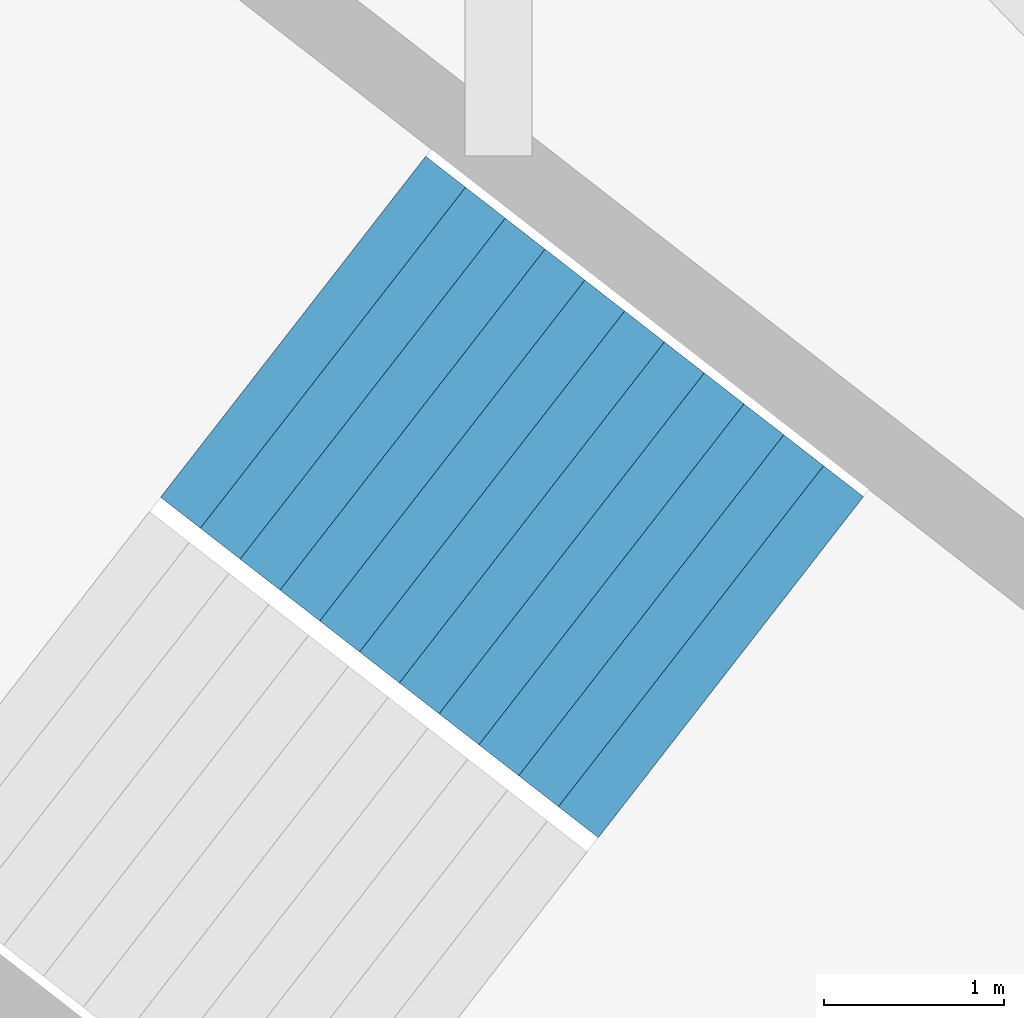
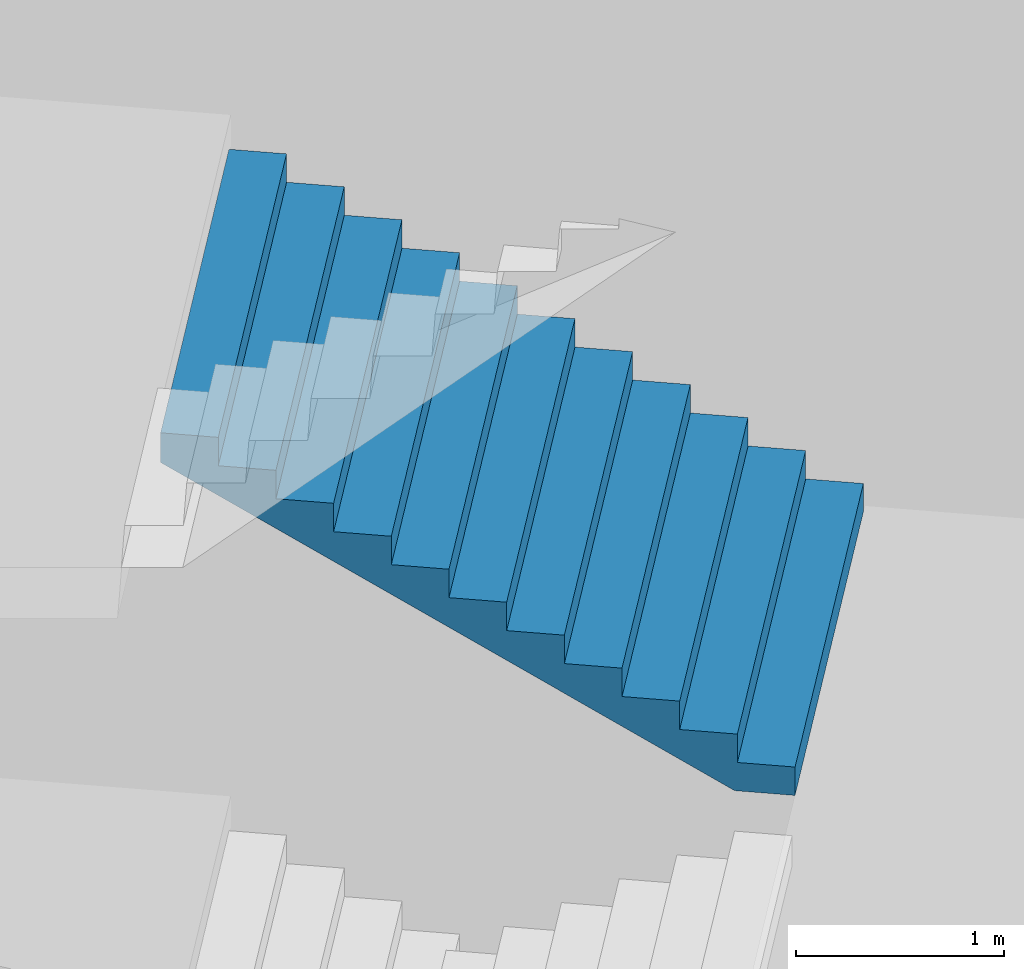
# One storey, part 41 of 74: 1 stair flight, 1 element without a shape of its own.
"""IFC4 building model written with IfcOpenShell, lengths in metres."""

import ifcopenshell
import ifcopenshell.guid

model = None  # the IFC model being written
_history = None  # IfcOwnerHistory: only IFC2X3 demands one
_inside = {}  # id of a spatial element -> (the spatial element, [elements in it])
_under = {}  # id of a project, library or spatial element -> (it, [spatial elements below it])
_declared = {}  # id of a project -> (the project, [libraries it declares])
_typed = {}  # id of a type object -> (the type object, [elements of that type])
_made_of = {}  # id of a material, layer set ... -> (it, [elements and type objects made of it])


def new_model(schema):
    """Start an empty IFC model of exactly this schema.

    Asked for "IFC4X3", IfcOpenShell would pick the latest addendum, in which some entities
    have other attributes; the version numbers below select the first issue.
    IFC2X3 requires an IfcOwnerHistory on every rooted entity: one is made here for all.
    """
    global model, _history
    if schema == "IFC4X3":
        model = ifcopenshell.file(schema_version=(4, 3, 0, 0))
    else:
        model = ifcopenshell.file(schema=schema)
    _inside.clear()
    _under.clear()
    _declared.clear()
    _typed.clear()
    _made_of.clear()
    _history = None
    if model.schema == "IFC2X3":
        org = make("IfcOrganization", Name="unknown")
        user = make(
            "IfcPersonAndOrganization",
            ThePerson=make("IfcPerson", FamilyName="unknown"),
            TheOrganization=org,
        )
        app = make(
            "IfcApplication",
            ApplicationDeveloper=org,
            Version="unknown",
            ApplicationFullName="unknown",
            ApplicationIdentifier="unknown",
        )
        _history = make(
            "IfcOwnerHistory",
            OwningUser=user,
            OwningApplication=app,
            ChangeAction="ADDED",
            CreationDate=0,
        )
    return model


def make(cls, **values):
    """One entity of the class cls with the attributes given. An attribute that is None is left unset."""
    return model.create_entity(
        cls, **{name: value for name, value in values.items() if value is not None}
    )


def rooted(cls, **values):
    """An entity with a GlobalId (a new one), such as an element, a storey or a relation."""
    return make(cls, GlobalId=ifcopenshell.guid.new(), OwnerHistory=_history, **values)


def si_unit(unit_type, name, prefix=None):
    """IfcSIUnit, for example si_unit("LENGTHUNIT", "METRE", prefix="MILLI")."""
    return make("IfcSIUnit", UnitType=unit_type, Prefix=prefix, Name=name)


def assignment(units):
    """IfcUnitAssignment: the units of a project."""
    return None if units is None else make("IfcUnitAssignment", Units=units)


def point(xyz):
    """IfcCartesianPoint."""
    return None if xyz is None else make("IfcCartesianPoint", Coordinates=xyz)


def direction(xyz):
    """IfcDirection."""
    return None if xyz is None else make("IfcDirection", DirectionRatios=xyz)


def frame(location, z_axis=None, x_axis=None):
    """IfcAxis2Placement3D, a coordinate frame: its origin and axes. An axis left out is left unset."""
    return make(
        "IfcAxis2Placement3D",
        Location=point(location),
        Axis=direction(z_axis),
        RefDirection=direction(x_axis),
    )


def origin():
    """The frame at (0, 0, 0) with its axes left unset."""
    return frame((0.0, 0.0, 0.0))


def place(relative_to, where):
    """IfcLocalPlacement: puts the frame where relative to a parent placement (None: the world)."""
    return make(
        "IfcLocalPlacement", PlacementRelTo=relative_to, RelativePlacement=where
    )


def context(
    kind, dimensions, precision=None, world=None, true_north=None, identifier=None
):
    """IfcGeometricRepresentationContext, for example the 3D "Model" context."""
    return make(
        "IfcGeometricRepresentationContext",
        ContextIdentifier=identifier,
        ContextType=kind,
        CoordinateSpaceDimension=dimensions,
        Precision=precision,
        WorldCoordinateSystem=world,
        TrueNorth=true_north,
    )


def subcontext(parent, identifier, kind, view, scale=None):
    """IfcGeometricRepresentationSubContext, for example "Body" below "Model"."""
    return make(
        "IfcGeometricRepresentationSubContext",
        ContextIdentifier=identifier,
        ContextType=kind,
        ParentContext=parent,
        TargetScale=scale,
        TargetView=view,
    )


def project(units=None, contexts=None):
    """IfcProject with its units and contexts."""
    return rooted(
        "IfcProject",
        Name="project",
        RepresentationContexts=contexts,
        UnitsInContext=assignment(units),
    )


def spatial(cls, under=None, at=None, **own):
    """A site, building, storey or space (cls), placed at a placement, below another one or the project."""
    s = rooted(cls, ObjectPlacement=at, **own)
    if under is not None:
        _under.setdefault(under.id(), (under, []))[1].append(s)
    return s


def point_list(points):
    """IfcCartesianPointList2D or 3D."""
    cls = (
        "IfcCartesianPointList2D" if len(points[0]) == 2 else "IfcCartesianPointList3D"
    )
    return make(cls, CoordList=points)


def triangles(points, corners, closed=None, point_numbers=None):
    """IfcTriangulatedFaceSet: each triangle names its three corners, points numbered from 1."""
    return make(
        "IfcTriangulatedFaceSet",
        Coordinates=point_list(points),
        Closed=closed,
        CoordIndex=corners,
        PnIndex=point_numbers,
    )


def shape(context_of_items, identifier, shape_type, items):
    """IfcShapeRepresentation: the items that make up one representation, for example the "Body"."""
    return make(
        "IfcShapeRepresentation",
        ContextOfItems=context_of_items,
        RepresentationIdentifier=identifier,
        RepresentationType=shape_type,
        Items=items,
    )


def material(Name=None, Category=None):
    """IfcMaterial."""
    return make("IfcMaterial", Name=Name, Category=Category)


def made_of(thing, what):
    """Note that an element or type object is made of a material, layer set ...; save() writes the relation."""
    if what is not None:
        _made_of.setdefault(what.id(), (what, []))[1].append(thing)
    return thing


def type_object(cls, material=None, **own):
    """A type object (cls), such as IfcWallType, which elements share."""
    return made_of(rooted(cls, **own), material)


def element(
    cls,
    number,
    at=None,
    inside=None,
    cuts=None,
    type_object=None,
    material=None,
    context=None,
    identifier="Body",
    shape_type=None,
    held_by="IfcProductDefinitionShape",
    body=None,
    shapes=None,
    **own,
):
    """One element of the class cls, such as IfcWall. Its Tag is "e" and its number.

    at: its placement. inside: the storey or other place that contains it. cuts: it is an
    opening in that element (IfcRelVoidsElement). A single representation is given by context,
    identifier, shape_type and body (its items); several are given by shapes. held_by: the class
    of the entity that holds the representations. save() writes the other relations.
    """
    e = rooted(cls, Tag="e%d" % number, ObjectPlacement=at, **own)
    if body is not None:
        shapes = [shape(context, identifier, shape_type, body)]
    if shapes is not None:
        e.Representation = make(held_by, Representations=shapes)
    if inside is not None:
        _inside.setdefault(inside.id(), (inside, []))[1].append(e)
    if cuts is not None:
        rooted(
            "IfcRelVoidsElement", RelatingBuildingElement=cuts, RelatedOpeningElement=e
        )
    if type_object is not None:
        _typed.setdefault(type_object.id(), (type_object, []))[1].append(e)
    return made_of(e, material)


def aggregate(whole, parts):
    """IfcRelAggregates: a whole, such as a stair, and the parts it consists of."""
    return rooted("IfcRelAggregates", RelatingObject=whole, RelatedObjects=parts)


def save(model, path):
    """Write the relations noted so far, then the file.

    IfcRelAggregates (storeys below a building ...), IfcRelContainedInSpatialStructure (elements
    in a storey), IfcRelDefinesByType, IfcRelAssociatesMaterial and IfcRelDeclares: one each for
    every whole, place, type object, material and project.
    """
    for whole, parts in _under.values():
        aggregate(whole, parts)
    for where, things in _inside.values():
        rooted(
            "IfcRelContainedInSpatialStructure",
            RelatedElements=things,
            RelatingStructure=where,
        )
    for kind, things in _typed.values():
        rooted("IfcRelDefinesByType", RelatedObjects=things, RelatingType=kind)
    for what, things in _made_of.values():
        rooted("IfcRelAssociatesMaterial", RelatedObjects=things, RelatingMaterial=what)
    for by, libraries in _declared.values():
        rooted("IfcRelDeclares", RelatingContext=by, RelatedDefinitions=libraries)
    model.write(path)


model = new_model("IFC4")

# Units and contexts
model_context = context("Model", 3, precision=1e-05, world=origin(), true_north=direction((0.0, 1.0)))
body_context = subcontext(model_context, "Body", "Model", "MODEL_VIEW")
ifc_project = project(units=[si_unit("LENGTHUNIT", "METRE"), si_unit("AREAUNIT", "SQUARE_METRE"), si_unit("VOLUMEUNIT", "CUBIC_METRE"), si_unit("PLANEANGLEUNIT", "RADIAN"), si_unit("MASSUNIT", "GRAM", prefix="KILO")], contexts=[model_context])

# Site, building, storey
site_placement = place(None, origin())
site = spatial("IfcSite", under=ifc_project, at=site_placement, CompositionType="ELEMENT")
building_placement = place(site_placement, origin())
building = spatial("IfcBuilding", under=site, at=building_placement, Name="Lantaw Convention Tower", CompositionType="ELEMENT")
storey_placement = place(building_placement, frame((0.0, 0.0, 6.5)))
storey = spatial("IfcBuildingStorey", under=building, at=storey_placement, Name="L01", CompositionType="ELEMENT", Elevation=6.5)

# Stair, stair flight
ifc_material = material(Name="Concrete C35/45", Category="concrete")
stair_type = type_object("IfcStairType", Name="Exit stair 2400 riser 166.67 in 4 flights", PredefinedType="HALF_TURN_STAIR", material=ifc_material)
stair_placement = place(storey_placement, origin())
stair = element("IfcStair", 1, at=stair_placement, inside=storey, type_object=stair_type, Name="Podium exit stair P7 L01", PredefinedType="HALF_TURN_STAIR")
stair_flight_type = type_object("IfcStairFlightType", Name="Stair flight 2400 riser 166.67", PredefinedType="STRAIGHT", material=ifc_material)
stair_flight_placement = place(storey_placement, frame((-27.959716796875, 23.327880859375, 4.0), z_axis=(0.0, 0.0, 1.0), x_axis=(-0.789378829664, 0.613906396186, 0.0)))
stair_flight = element("IfcStairFlight", 2, at=stair_flight_placement, type_object=stair_flight_type, Name="P7 flight 3", NumberOfRisers=12, NumberOfTreads=11, PredefinedType="STRAIGHT", RiserHeight=0.166666667, TreadLength=0.28, context=body_context, shape_type="Tessellation", body=[
    triangles([(0.0, 1.199951171875, 0.0), (0.0, 1.199951171875, 0.166666667), (0.28, 1.199951171875, 0.0), (0.28, 1.199951171875, 0.166666667), (0.28, 1.199951171875, 0.333333334), (0.29307345806906726, 1.199951171875, 0.0), (0.29307345806906726, 1.199951171875, 0.333333334), (0.56, 1.199951171875, 0.15888484670522965), (0.56, 1.199951171875, 0.333333334), (0.56, 1.199951171875, 0.500000001), (0.8400000000000001, 1.199951171875, 0.3255515137052296), (0.8400000000000001, 1.199951171875, 0.500000001), (0.8400000000000001, 1.199951171875, 0.666666668), (1.12, 1.199951171875, 0.4922181807052296), (1.12, 1.199951171875, 0.666666668), (1.12, 1.199951171875, 0.833333335), (1.4000000000000001, 1.199951171875, 0.6588848477052296), (1.4000000000000001, 1.199951171875, 0.833333335), (1.4000000000000001, 1.199951171875, 1.000000002), (1.6800000000000002, 1.199951171875, 0.8255515147052296), (1.6800000000000002, 1.199951171875, 1.000000002), (1.6800000000000002, 1.199951171875, 1.166666669), (1.9600000000000002, 1.199951171875, 0.9922181817052296), (1.9600000000000002, 1.199951171875, 1.166666669), (1.9600000000000002, 1.199951171875, 1.333333336), (2.24, 1.199951171875, 1.1588848487052295), (2.24, 1.199951171875, 1.333333336), (2.24, 1.199951171875, 1.5000000029999998), (2.5200000000000005, 1.199951171875, 1.3255515157052296), (2.5200000000000005, 1.199951171875, 1.5000000029999998), (2.5200000000000005, 1.199951171875, 1.66666667), (2.8000000000000003, 1.199951171875, 1.4922181827052294), (2.8000000000000003, 1.199951171875, 1.66666667), (2.8000000000000003, 1.199951171875, 1.833333337), (3.08, 1.199951171875, 1.6588848497052293), (3.08, 1.199951171875, 1.833333337), (0.0, -1.199951171875, 0.0), (0.0, -1.199951171875, 0.166666667), (0.28, -1.199951171875, 0.0), (0.28, -1.199951171875, 0.166666667), (0.28, -1.199951171875, 0.333333334), (0.29307345806906726, -1.199951171875, 0.0), (0.29307345806906726, -1.199951171875, 0.333333334), (0.56, -1.199951171875, 0.15888484670522965), (0.56, -1.199951171875, 0.333333334), (0.56, -1.199951171875, 0.500000001), (0.8400000000000001, -1.199951171875, 0.3255515137052296), (0.8400000000000001, -1.199951171875, 0.500000001), (0.8400000000000001, -1.199951171875, 0.666666668), (1.12, -1.199951171875, 0.4922181807052296), (1.12, -1.199951171875, 0.666666668), (1.12, -1.199951171875, 0.833333335), (1.4000000000000001, -1.199951171875, 0.6588848477052296), (1.4000000000000001, -1.199951171875, 0.833333335), (1.4000000000000001, -1.199951171875, 1.000000002), (1.6800000000000002, -1.199951171875, 0.8255515147052296), (1.6800000000000002, -1.199951171875, 1.000000002), (1.6800000000000002, -1.199951171875, 1.166666669), (1.9600000000000002, -1.199951171875, 0.9922181817052296), (1.9600000000000002, -1.199951171875, 1.166666669), (1.9600000000000002, -1.199951171875, 1.333333336), (2.24, -1.199951171875, 1.1588848487052295), (2.24, -1.199951171875, 1.333333336), (2.24, -1.199951171875, 1.5000000029999998), (2.5200000000000005, -1.199951171875, 1.3255515157052296), (2.5200000000000005, -1.199951171875, 1.5000000029999998), (2.5200000000000005, -1.199951171875, 1.66666667), (2.8000000000000003, -1.199951171875, 1.4922181827052294), (2.8000000000000003, -1.199951171875, 1.66666667), (2.8000000000000003, -1.199951171875, 1.833333337), (3.08, -1.199951171875, 1.6588848497052293), (3.08, -1.199951171875, 1.833333337), (0.0, 0.239990234375, 0.166666667), (0.0, 0.239990234375, 0.0), (0.0, 0.1199951171875, 0.166666667), (0.0, 0.1199951171875, 0.0), (0.0, 0.0, 0.166666667), (0.0, 0.0, 0.0), (0.0, -0.1199951171875, 0.166666667), (0.0, -0.1199951171875, 0.0), (0.0, -0.239990234375, 0.166666667), (0.0, -0.239990234375, 0.0), (0.28, 0.239990234375, 0.333333334), (0.28, 0.239990234375, 0.166666667), (0.28, 0.1199951171875, 0.333333334), (0.28, 0.1199951171875, 0.166666667), (0.28, 0.0, 0.333333334), (0.28, 0.0, 0.166666667), (0.28, -0.1199951171875, 0.333333334), (0.28, -0.1199951171875, 0.166666667), (0.28, -0.239990234375, 0.333333334), (0.28, -0.239990234375, 0.166666667), (0.56, 0.239990234375, 0.500000001), (0.56, 0.239990234375, 0.333333334), (0.56, 0.1199951171875, 0.500000001), (0.56, 0.1199951171875, 0.333333334), (0.56, 0.0, 0.500000001), (0.56, 0.0, 0.333333334), (0.56, -0.1199951171875, 0.500000001), (0.56, -0.1199951171875, 0.333333334), (0.56, -0.239990234375, 0.500000001), (0.56, -0.239990234375, 0.333333334), (0.8400000000000001, 0.239990234375, 0.666666668), (0.8400000000000001, 0.239990234375, 0.500000001), (0.8400000000000001, 0.1199951171875, 0.666666668), (0.8400000000000001, 0.1199951171875, 0.500000001), (0.8400000000000001, 0.0, 0.666666668), (0.8400000000000001, 0.0, 0.500000001), (0.8400000000000001, -0.1199951171875, 0.666666668), (0.8400000000000001, -0.1199951171875, 0.500000001), (0.8400000000000001, -0.239990234375, 0.666666668), (0.8400000000000001, -0.239990234375, 0.500000001), (1.12, 0.239990234375, 0.833333335), (1.12, 0.239990234375, 0.666666668), (1.12, 0.1199951171875, 0.833333335), (1.12, 0.1199951171875, 0.666666668), (1.12, 0.0, 0.833333335), (1.12, 0.0, 0.666666668), (1.12, -0.1199951171875, 0.833333335), (1.12, -0.1199951171875, 0.666666668), (1.12, -0.239990234375, 0.833333335), (1.12, -0.239990234375, 0.666666668), (1.4000000000000001, 0.239990234375, 1.000000002), (1.4000000000000001, 0.239990234375, 0.833333335), (1.4000000000000001, 0.1199951171875, 1.000000002), (1.4000000000000001, 0.1199951171875, 0.833333335), (1.4000000000000001, 0.0, 1.000000002), (1.4000000000000001, 0.0, 0.833333335), (1.4000000000000001, -0.1199951171875, 1.000000002), (1.4000000000000001, -0.1199951171875, 0.833333335), (1.4000000000000001, -0.239990234375, 1.000000002), (1.4000000000000001, -0.239990234375, 0.833333335), (1.6800000000000002, 0.239990234375, 1.166666669), (1.6800000000000002, 0.239990234375, 1.000000002), (1.6800000000000002, 0.1199951171875, 1.166666669), (1.6800000000000002, 0.1199951171875, 1.000000002), (1.6800000000000002, 0.0, 1.166666669), (1.6800000000000002, 0.0, 1.000000002), (1.6800000000000002, -0.1199951171875, 1.166666669), (1.6800000000000002, -0.1199951171875, 1.000000002), (1.6800000000000002, -0.239990234375, 1.166666669), (1.6800000000000002, -0.239990234375, 1.000000002), (1.9600000000000002, 0.239990234375, 1.333333336), (1.9600000000000002, 0.239990234375, 1.166666669), (1.9600000000000002, 0.1199951171875, 1.333333336), (1.9600000000000002, 0.1199951171875, 1.166666669), (1.9600000000000002, 0.0, 1.333333336), (1.9600000000000002, 0.0, 1.166666669), (1.9600000000000002, -0.1199951171875, 1.333333336), (1.9600000000000002, -0.1199951171875, 1.166666669), (1.9600000000000002, -0.239990234375, 1.333333336), (1.9600000000000002, -0.239990234375, 1.166666669), (2.24, 0.239990234375, 1.5000000029999998), (2.24, 0.239990234375, 1.333333336), (2.24, 0.1199951171875, 1.5000000029999998), (2.24, 0.1199951171875, 1.333333336), (2.24, 0.0, 1.5000000029999998), (2.24, 0.0, 1.333333336), (2.24, -0.1199951171875, 1.5000000029999998), (2.24, -0.1199951171875, 1.333333336), (2.24, -0.239990234375, 1.5000000029999998), (2.24, -0.239990234375, 1.333333336), (2.5200000000000005, 0.239990234375, 1.66666667), (2.5200000000000005, 0.239990234375, 1.5000000029999998), (2.5200000000000005, 0.1199951171875, 1.66666667), (2.5200000000000005, 0.1199951171875, 1.5000000029999998), (2.5200000000000005, 0.0, 1.66666667), (2.5200000000000005, 0.0, 1.5000000029999998), (2.5200000000000005, -0.1199951171875, 1.66666667), (2.5200000000000005, -0.1199951171875, 1.5000000029999998), (2.5200000000000005, -0.239990234375, 1.66666667), (2.5200000000000005, -0.239990234375, 1.5000000029999998), (2.8000000000000003, 0.239990234375, 1.833333337), (2.8000000000000003, 0.239990234375, 1.66666667), (2.8000000000000003, 0.1199951171875, 1.833333337), (2.8000000000000003, 0.1199951171875, 1.66666667), (2.8000000000000003, 0.0, 1.833333337), (2.8000000000000003, 0.0, 1.66666667), (2.8000000000000003, -0.1199951171875, 1.833333337), (2.8000000000000003, -0.1199951171875, 1.66666667), (2.8000000000000003, -0.239990234375, 1.833333337), (2.8000000000000003, -0.239990234375, 1.66666667), (0.29307345806906726, 0.239990234375, 0.333333334), (0.29307345806906726, 0.1199951171875, 0.333333334), (0.29307345806906726, 0.0, 0.333333334), (0.29307345806906726, -0.1199951171875, 0.333333334), (0.29307345806906726, -0.239990234375, 0.333333334), (3.08, 0.239990234375, 1.833333337), (3.08, 0.1199951171875, 1.833333337), (3.08, 0.0, 1.833333337), (3.08, -0.1199951171875, 1.833333337), (3.08, -0.239990234375, 1.833333337), (3.08, 0.239990234375, 1.6588848497052293), (3.08, 0.1199951171875, 1.6588848497052293), (3.08, 0.0, 1.6588848497052293), (3.08, -0.1199951171875, 1.6588848497052293), (3.08, -0.239990234375, 1.6588848497052293), (2.8000000000000003, 0.239990234375, 1.4922181827052294), (2.8000000000000003, 0.1199951171875, 1.4922181827052294), (2.8000000000000003, 0.0, 1.4922181827052294), (2.8000000000000003, -0.1199951171875, 1.4922181827052294), (2.8000000000000003, -0.239990234375, 1.4922181827052294), (2.5200000000000005, 0.239990234375, 1.3255515157052296), (2.5200000000000005, 0.1199951171875, 1.3255515157052296), (2.5200000000000005, 0.0, 1.3255515157052296), (2.5200000000000005, -0.1199951171875, 1.3255515157052296), (2.5200000000000005, -0.239990234375, 1.3255515157052296), (2.24, 0.239990234375, 1.1588848487052295), (2.24, 0.1199951171875, 1.1588848487052295), (2.24, 0.0, 1.1588848487052295), (2.24, -0.1199951171875, 1.1588848487052295), (2.24, -0.239990234375, 1.1588848487052295), (1.9600000000000002, 0.239990234375, 0.9922181817052296), (1.9600000000000002, 0.1199951171875, 0.9922181817052296), (1.9600000000000002, 0.0, 0.9922181817052296), (1.9600000000000002, -0.1199951171875, 0.9922181817052296), (1.9600000000000002, -0.239990234375, 0.9922181817052296), (1.6800000000000002, 0.239990234375, 0.8255515147052296), (1.6800000000000002, 0.1199951171875, 0.8255515147052296), (1.6800000000000002, 0.0, 0.8255515147052296), (1.6800000000000002, -0.1199951171875, 0.8255515147052296), (1.6800000000000002, -0.239990234375, 0.8255515147052296), (1.4000000000000001, 0.239990234375, 0.6588848477052296), (1.4000000000000001, 0.1199951171875, 0.6588848477052296), (1.4000000000000001, 0.0, 0.6588848477052296), (1.4000000000000001, -0.1199951171875, 0.6588848477052296), (1.4000000000000001, -0.239990234375, 0.6588848477052296), (1.12, 0.239990234375, 0.4922181807052296), (1.12, 0.1199951171875, 0.4922181807052296), (1.12, 0.0, 0.4922181807052296), (1.12, -0.1199951171875, 0.4922181807052296), (1.12, -0.239990234375, 0.4922181807052296), (0.8400000000000001, 0.239990234375, 0.3255515137052296), (0.8400000000000001, 0.1199951171875, 0.3255515137052296), (0.8400000000000001, 0.0, 0.3255515137052296), (0.8400000000000001, -0.1199951171875, 0.3255515137052296), (0.8400000000000001, -0.239990234375, 0.3255515137052296), (0.56, 0.239990234375, 0.15888484670522965), (0.56, 0.1199951171875, 0.15888484670522965), (0.56, 0.0, 0.15888484670522965), (0.56, -0.1199951171875, 0.15888484670522965), (0.56, -0.239990234375, 0.15888484670522965), (0.29307345806906726, 0.239990234375, 0.0), (0.29307345806906726, 0.1199951171875, 0.0), (0.29307345806906726, 0.0, 0.0), (0.29307345806906726, -0.1199951171875, 0.0), (0.29307345806906726, -0.239990234375, 0.0), (0.28, 0.239990234375, 0.0), (0.28, 0.1199951171875, 0.0), (0.28, 0.0, 0.0), (0.28, -0.1199951171875, 0.0), (0.28, -0.239990234375, 0.0)], [[1, 4, 3], [1, 2, 4], [3, 4, 6], [4, 7, 6], [4, 5, 7], [6, 9, 8], [6, 7, 9], [8, 9, 11], [9, 12, 11], [9, 10, 12], [11, 12, 14], [12, 15, 14], [12, 13, 15], [14, 15, 17], [15, 18, 17], [15, 16, 18], [17, 18, 20], [18, 21, 20], [18, 19, 21], [20, 21, 23], [21, 24, 23], [21, 22, 24], [23, 24, 26], [24, 27, 26], [24, 25, 27], [26, 27, 29], [27, 30, 29], [27, 28, 30], [29, 30, 32], [30, 33, 32], [30, 31, 33], [32, 33, 35], [33, 36, 35], [33, 34, 36], [37, 39, 40], [37, 40, 38], [39, 42, 40], [40, 42, 43], [40, 43, 41], [42, 44, 45], [42, 45, 43], [44, 47, 45], [45, 47, 48], [45, 48, 46], [47, 50, 48], [48, 50, 51], [48, 51, 49], [50, 53, 51], [51, 53, 54], [51, 54, 52], [53, 56, 54], [54, 56, 57], [54, 57, 55], [56, 59, 57], [57, 59, 60], [57, 60, 58], [59, 62, 60], [60, 62, 63], [60, 63, 61], [62, 65, 63], [63, 65, 66], [63, 66, 64], [65, 68, 66], [66, 68, 69], [66, 69, 67], [68, 71, 69], [69, 71, 72], [69, 72, 70], [1, 73, 2], [1, 74, 73], [74, 75, 73], [74, 76, 75], [76, 77, 75], [76, 78, 77], [78, 79, 77], [78, 80, 79], [80, 81, 79], [80, 82, 81], [82, 38, 81], [82, 37, 38], [4, 83, 5], [4, 84, 83], [84, 85, 83], [84, 86, 85], [86, 87, 85], [86, 88, 87], [88, 89, 87], [88, 90, 89], [90, 91, 89], [90, 92, 91], [92, 41, 91], [92, 40, 41], [9, 93, 10], [9, 94, 93], [94, 95, 93], [94, 96, 95], [96, 97, 95], [96, 98, 97], [98, 99, 97], [98, 100, 99], [100, 101, 99], [100, 102, 101], [102, 46, 101], [102, 45, 46], [12, 103, 13], [12, 104, 103], [104, 105, 103], [104, 106, 105], [106, 107, 105], [106, 108, 107], [108, 109, 107], [108, 110, 109], [110, 111, 109], [110, 112, 111], [112, 49, 111], [112, 48, 49], [15, 113, 16], [15, 114, 113], [114, 115, 113], [114, 116, 115], [116, 117, 115], [116, 118, 117], [118, 119, 117], [118, 120, 119], [120, 121, 119], [120, 122, 121], [122, 52, 121], [122, 51, 52], [18, 123, 19], [18, 124, 123], [124, 125, 123], [124, 126, 125], [126, 127, 125], [126, 128, 127], [128, 129, 127], [128, 130, 129], [130, 131, 129], [130, 132, 131], [132, 55, 131], [132, 54, 55], [21, 133, 22], [21, 134, 133], [134, 135, 133], [134, 136, 135], [136, 137, 135], [136, 138, 137], [138, 139, 137], [138, 140, 139], [140, 141, 139], [140, 142, 141], [142, 58, 141], [142, 57, 58], [24, 143, 25], [24, 144, 143], [144, 145, 143], [144, 146, 145], [146, 147, 145], [146, 148, 147], [148, 149, 147], [148, 150, 149], [150, 151, 149], [150, 152, 151], [152, 61, 151], [152, 60, 61], [27, 153, 28], [27, 154, 153], [154, 155, 153], [154, 156, 155], [156, 157, 155], [156, 158, 157], [158, 159, 157], [158, 160, 159], [160, 161, 159], [160, 162, 161], [162, 64, 161], [162, 63, 64], [30, 163, 31], [30, 164, 163], [164, 165, 163], [164, 166, 165], [166, 167, 165], [166, 168, 167], [168, 169, 167], [168, 170, 169], [170, 171, 169], [170, 172, 171], [172, 67, 171], [172, 66, 67], [33, 173, 34], [33, 174, 173], [174, 175, 173], [174, 176, 175], [176, 177, 175], [176, 178, 177], [178, 179, 177], [178, 180, 179], [180, 181, 179], [180, 182, 181], [182, 70, 181], [182, 69, 70], [2, 84, 4], [2, 73, 84], [73, 86, 84], [73, 75, 86], [75, 88, 86], [75, 77, 88], [77, 90, 88], [77, 79, 90], [79, 92, 90], [79, 81, 92], [81, 40, 92], [81, 38, 40], [5, 183, 7], [5, 83, 183], [83, 184, 183], [83, 85, 184], [85, 185, 184], [85, 87, 185], [87, 186, 185], [87, 89, 186], [89, 187, 186], [89, 91, 187], [91, 43, 187], [91, 41, 43], [7, 94, 9], [7, 183, 94], [183, 96, 94], [183, 184, 96], [184, 98, 96], [184, 185, 98], [185, 100, 98], [185, 186, 100], [186, 102, 100], [186, 187, 102], [187, 45, 102], [187, 43, 45], [10, 104, 12], [10, 93, 104], [93, 106, 104], [93, 95, 106], [95, 108, 106], [95, 97, 108], [97, 110, 108], [97, 99, 110], [99, 112, 110], [99, 101, 112], [101, 48, 112], [101, 46, 48], [13, 114, 15], [13, 103, 114], [103, 116, 114], [103, 105, 116], [105, 118, 116], [105, 107, 118], [107, 120, 118], [107, 109, 120], [109, 122, 120], [109, 111, 122], [111, 51, 122], [111, 49, 51], [16, 124, 18], [16, 113, 124], [113, 126, 124], [113, 115, 126], [115, 128, 126], [115, 117, 128], [117, 130, 128], [117, 119, 130], [119, 132, 130], [119, 121, 132], [121, 54, 132], [121, 52, 54], [19, 134, 21], [19, 123, 134], [123, 136, 134], [123, 125, 136], [125, 138, 136], [125, 127, 138], [127, 140, 138], [127, 129, 140], [129, 142, 140], [129, 131, 142], [131, 57, 142], [131, 55, 57], [22, 144, 24], [22, 133, 144], [133, 146, 144], [133, 135, 146], [135, 148, 146], [135, 137, 148], [137, 150, 148], [137, 139, 150], [139, 152, 150], [139, 141, 152], [141, 60, 152], [141, 58, 60], [25, 154, 27], [25, 143, 154], [143, 156, 154], [143, 145, 156], [145, 158, 156], [145, 147, 158], [147, 160, 158], [147, 149, 160], [149, 162, 160], [149, 151, 162], [151, 63, 162], [151, 61, 63], [28, 164, 30], [28, 153, 164], [153, 166, 164], [153, 155, 166], [155, 168, 166], [155, 157, 168], [157, 170, 168], [157, 159, 170], [159, 172, 170], [159, 161, 172], [161, 66, 172], [161, 64, 66], [31, 174, 33], [31, 163, 174], [163, 176, 174], [163, 165, 176], [165, 178, 176], [165, 167, 178], [167, 180, 178], [167, 169, 180], [169, 182, 180], [169, 171, 182], [171, 69, 182], [171, 67, 69], [34, 188, 36], [34, 173, 188], [173, 189, 188], [173, 175, 189], [175, 190, 189], [175, 177, 190], [177, 191, 190], [177, 179, 191], [179, 192, 191], [179, 181, 192], [181, 72, 192], [181, 70, 72], [36, 193, 35], [36, 188, 193], [188, 194, 193], [188, 189, 194], [189, 195, 194], [189, 190, 195], [190, 196, 195], [190, 191, 196], [191, 197, 196], [191, 192, 197], [192, 71, 197], [192, 72, 71], [35, 198, 32], [35, 193, 198], [193, 199, 198], [193, 194, 199], [194, 200, 199], [194, 195, 200], [195, 201, 200], [195, 196, 201], [196, 202, 201], [196, 197, 202], [197, 68, 202], [197, 71, 68], [32, 203, 29], [32, 198, 203], [198, 204, 203], [198, 199, 204], [199, 205, 204], [199, 200, 205], [200, 206, 205], [200, 201, 206], [201, 207, 206], [201, 202, 207], [202, 65, 207], [202, 68, 65], [29, 208, 26], [29, 203, 208], [203, 209, 208], [203, 204, 209], [204, 210, 209], [204, 205, 210], [205, 211, 210], [205, 206, 211], [206, 212, 211], [206, 207, 212], [207, 62, 212], [207, 65, 62], [26, 213, 23], [26, 208, 213], [208, 214, 213], [208, 209, 214], [209, 215, 214], [209, 210, 215], [210, 216, 215], [210, 211, 216], [211, 217, 216], [211, 212, 217], [212, 59, 217], [212, 62, 59], [23, 218, 20], [23, 213, 218], [213, 219, 218], [213, 214, 219], [214, 220, 219], [214, 215, 220], [215, 221, 220], [215, 216, 221], [216, 222, 221], [216, 217, 222], [217, 56, 222], [217, 59, 56], [20, 223, 17], [20, 218, 223], [218, 224, 223], [218, 219, 224], [219, 225, 224], [219, 220, 225], [220, 226, 225], [220, 221, 226], [221, 227, 226], [221, 222, 227], [222, 53, 227], [222, 56, 53], [17, 228, 14], [17, 223, 228], [223, 229, 228], [223, 224, 229], [224, 230, 229], [224, 225, 230], [225, 231, 230], [225, 226, 231], [226, 232, 231], [226, 227, 232], [227, 50, 232], [227, 53, 50], [14, 233, 11], [14, 228, 233], [228, 234, 233], [228, 229, 234], [229, 235, 234], [229, 230, 235], [230, 236, 235], [230, 231, 236], [231, 237, 236], [231, 232, 237], [232, 47, 237], [232, 50, 47], [11, 238, 8], [11, 233, 238], [233, 239, 238], [233, 234, 239], [234, 240, 239], [234, 235, 240], [235, 241, 240], [235, 236, 241], [236, 242, 241], [236, 237, 242], [237, 44, 242], [237, 47, 44], [8, 243, 6], [8, 238, 243], [238, 244, 243], [238, 239, 244], [239, 245, 244], [239, 240, 245], [240, 246, 245], [240, 241, 246], [241, 247, 246], [241, 242, 247], [242, 42, 247], [242, 44, 42], [6, 248, 3], [6, 243, 248], [243, 249, 248], [243, 244, 249], [244, 250, 249], [244, 245, 250], [245, 251, 250], [245, 246, 251], [246, 252, 251], [246, 247, 252], [247, 39, 252], [247, 42, 39], [3, 74, 1], [3, 248, 74], [248, 76, 74], [248, 249, 76], [249, 78, 76], [249, 250, 78], [250, 80, 78], [250, 251, 80], [251, 82, 80], [251, 252, 82], [252, 37, 82], [252, 39, 37]], closed=True),
])
aggregate(stair, [stair_flight])

save(model, "model.ifc")
